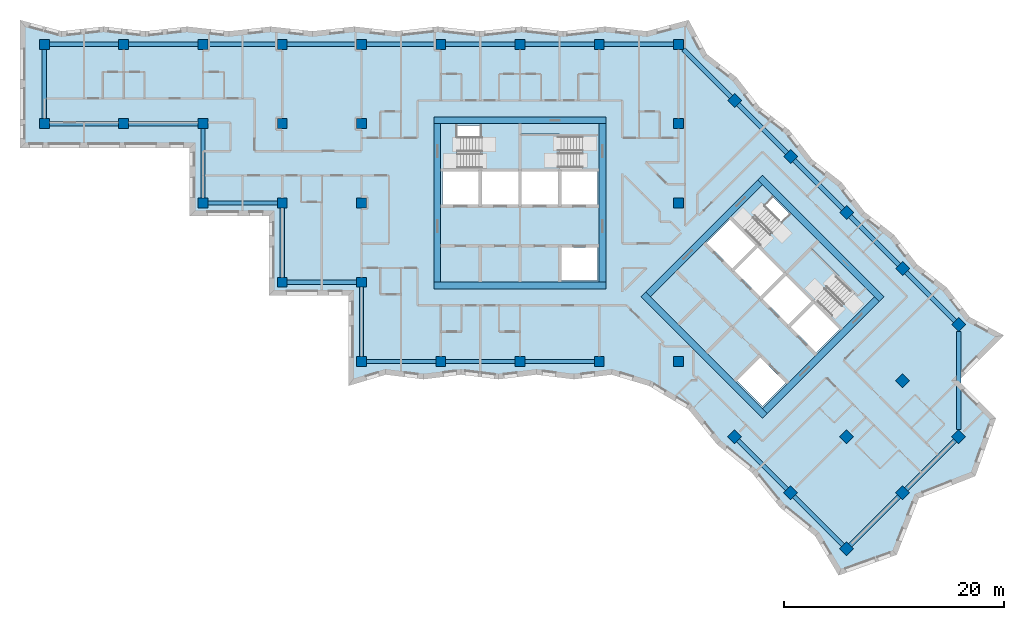
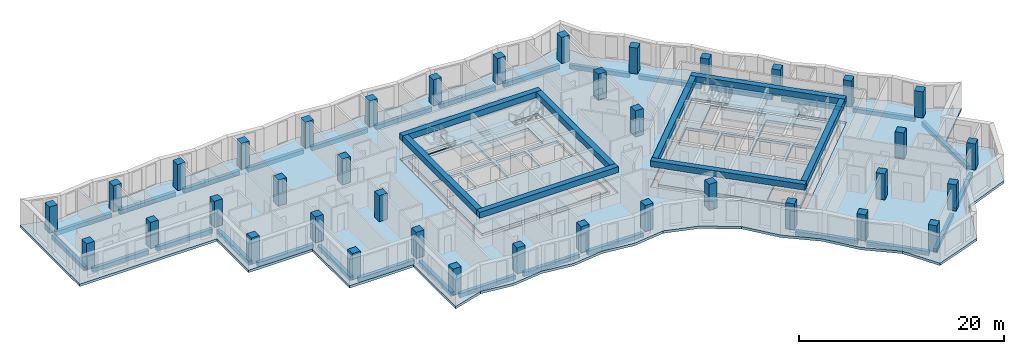
# One storey, part 1 of 12: 38 columns, 37 beams, 7 slabs, 16 openings, 4 elements without a shape of their own.
"""IFC4 building model written with IfcOpenShell, lengths in metres."""

from ifc_helpers import new_model, si_unit, direction, frame, origin, origin_2d, place, context, subcontext, project, spatial, polyline, rectangle, outline, extrude, material, layer, layer_set, material_profile, profile_set, type_object, element, aggregate, save


model = new_model("IFC4")

# Units and contexts
model_context = context("Model", 3, precision=1e-05, world=origin(), true_north=direction((0.0, 1.0)))
body_context = subcontext(model_context, "Body", "Model", "MODEL_VIEW")
ifc_project = project(units=[si_unit("LENGTHUNIT", "METRE"), si_unit("AREAUNIT", "SQUARE_METRE"), si_unit("VOLUMEUNIT", "CUBIC_METRE"), si_unit("PLANEANGLEUNIT", "RADIAN"), si_unit("MASSUNIT", "GRAM", prefix="KILO")], contexts=[model_context])

# Site, building, storey
site_placement = place(None, origin())
site = spatial("IfcSite", under=ifc_project, at=site_placement, CompositionType="ELEMENT")
building_placement = place(site_placement, origin())
building = spatial("IfcBuilding", under=site, at=building_placement, Name="Windrow Commons", CompositionType="ELEMENT")
storey_placement = place(building_placement, frame((0.0, 0.0, 149.0)))
storey = spatial("IfcBuildingStorey", under=building, at=storey_placement, Name="L40", CompositionType="ELEMENT", Elevation=149.0)

# Columns
ifc_material_1 = material(Name="Concrete C50/60", Category="concrete")
ifc_material_profile_1 = material_profile(ifc_material_1, rectangle(XDim=0.9, YDim=0.9, at=origin_2d()))
ifc_profile_set_1 = profile_set([ifc_material_profile_1], Name="Concrete C50/60")
column_type = type_object("IfcColumnType", Name="RC COLUMN 900x900 C50/60", PredefinedType="COLUMN", material=ifc_profile_set_1)
for number, where, z_axis, x_axis, name in (
    (1, (21.6, 64.8, 0.0), (0.0, 0.0, 1.0), (1.0, 0.0, 0.0), "C-Z3-04I"),
    (2, (21.6, 72.0, 0.0), (0.0, 0.0, 1.0), (1.0, 0.0, 0.0), "C-Z3-04J"),
    (3, (28.8, 64.8, 0.0), (0.0, 0.0, 1.0), (1.0, 0.0, 0.0), "C-Z3-05I"),
    (4, (28.8, 72.0, 0.0), (0.0, 0.0, 1.0), (1.0, 0.0, 0.0), "C-Z3-05J"),
    (5, (36.0, 57.6, 0.0), (0.0, 0.0, 1.0), (1.0, 0.0, 0.0), "C-Z3-06H"),
    (6, (36.0, 64.8, 0.0), (0.0, 0.0, 1.0), (1.0, 0.0, 0.0), "C-Z3-06I"),
    (7, (36.0, 72.0, 0.0), (0.0, 0.0, 1.0), (1.0, 0.0, 0.0), "C-Z3-06J"),
    (8, (43.2, 50.4, 0.0), (0.0, 0.0, 1.0), (1.0, 0.0, 0.0), "C-Z3-07G"),
    (9, (43.2, 57.6, 0.0), (0.0, 0.0, 1.0), (1.0, 0.0, 0.0), "C-Z3-07H"),
    (10, (43.2, 64.8, 0.0), (0.0, 0.0, 1.0), (1.0, 0.0, 0.0), "C-Z3-07I"),
    (11, (43.2, 72.0, 0.0), (0.0, 0.0, 1.0), (1.0, 0.0, 0.0), "C-Z3-07J"),
    (12, (50.4, 43.2, 0.0), (0.0, 0.0, 1.0), (1.0, 0.0, 0.0), "C-Z3-08F"),
    (13, (50.4, 50.4, 0.0), (0.0, 0.0, 1.0), (1.0, 0.0, 0.0), "C-Z3-08G"),
    (14, (50.4, 57.6, 0.0), (0.0, 0.0, 1.0), (1.0, 0.0, 0.0), "C-Z3-08H"),
    (15, (50.4, 64.8, 0.0), (0.0, 0.0, 1.0), (1.0, 0.0, 0.0), "C-Z3-08I"),
    (16, (50.4, 72.0, 0.0), (0.0, 0.0, 1.0), (1.0, 0.0, 0.0), "C-Z3-08J"),
    (17, (57.6, 43.2, 0.0), (0.0, 0.0, 1.0), (1.0, 0.0, 0.0), "C-Z3-09F"),
    (18, (57.6, 72.0, 0.0), (0.0, 0.0, 1.0), (1.0, 0.0, 0.0), "C-Z3-09J"),
    (19, (64.8, 43.2, 0.0), (0.0, 0.0, 1.0), (1.0, 0.0, 0.0), "C-Z3-10F"),
    (20, (64.8, 72.0, 0.0), (0.0, 0.0, 1.0), (1.0, 0.0, 0.0), "C-Z3-10J"),
    (21, (72.0, 43.2, 0.0), (0.0, 0.0, 1.0), (1.0, 0.0, 0.0), "C-Z3-11F"),
    (22, (72.0, 72.0, 0.0), (0.0, 0.0, 1.0), (1.0, 0.0, 0.0), "C-Z3-11J"),
    (23, (79.2, 43.2, 0.0), (0.0, 0.0, 1.0), (1.0, 0.0, 0.0), "C-Z3-12F"),
    (24, (79.2, 57.6, 0.0), (0.0, 0.0, 1.0), (1.0, 0.0, 0.0), "C-Z3-12H"),
    (25, (79.2, 64.8, 0.0), (0.0, 0.0, 1.0), (1.0, 0.0, 0.0), "C-Z3-12I"),
    (26, (79.2, 72.0, 0.0), (0.0, 0.0, 1.0), (1.0, 0.0, 0.0), "C-Z3-12J"),
    (27, (84.2912, 66.9088, 0.0), (0.0, 0.0, 1.0), (0.7071067812, -0.7071067812, 0.0), "C-Z3-P2Q"),
    (28, (89.3823, 61.8177, 0.0), (0.0, 0.0, 1.0), (0.7071067812, -0.7071067812, 0.0), "C-Z3-P3Q"),
    (29, (94.4735, 56.7265, 0.0), (0.0, 0.0, 1.0), (0.7071067812, -0.7071067812, 0.0), "C-Z3-P4Q"),
    (30, (99.5647, 51.6353, 0.0), (0.0, 0.0, 1.0), (0.7071067812, -0.7071067812, 0.0), "C-Z3-P5Q"),
    (31, (84.2912, 36.3618, 0.0), (0.0, 0.0, 1.0), (0.7071067812, -0.7071067812, 0.0), "C-Z3-P5T"),
    (32, (104.6558, 46.5442, 0.0), (0.0, 0.0, 1.0), (0.7071067812, -0.7071067812, 0.0), "C-Z3-P6Q"),
    (33, (99.5647, 41.453, 0.0), (0.0, 0.0, 1.0), (0.7071067812, -0.7071067812, 0.0), "C-Z3-P6R"),
    (34, (94.4735, 36.3618, 0.0), (0.0, 0.0, 1.0), (0.7071067812, -0.7071067812, 0.0), "C-Z3-P6S"),
    (35, (89.3823, 31.2706, 0.0), (0.0, 0.0, 1.0), (0.7071067812, -0.7071067812, 0.0), "C-Z3-P6T"),
    (36, (104.6558, 36.3618, 0.0), (0.0, 0.0, 1.0), (0.7071067812, -0.7071067812, 0.0), "C-Z3-P7R"),
    (37, (99.5647, 31.2706, 0.0), (0.0, 0.0, 1.0), (0.7071067812, -0.7071067812, 0.0), "C-Z3-P7S"),
    (38, (94.4735, 26.1795, 0.0), (0.0, 0.0, 1.0), (0.7071067812, -0.7071067812, 0.0), "C-Z3-P7T"),
):
    element("IfcColumn", number, at=place(storey_placement, frame(where, z_axis=z_axis, x_axis=x_axis)), inside=storey, type_object=column_type, Name=name, PredefinedType="COLUMN", context=body_context, shape_type="SweptSolid", body=[
        extrude(rectangle(XDim=0.9, YDim=0.9, at=origin_2d()), origin(), (0.0, 0.0, 1.0), 3.1),
    ])

# Beams
ifc_material_2 = material(Name="Concrete C50/60", Category="concrete")
ifc_material_profile_2 = material_profile(ifc_material_2, rectangle(XDim=0.6, YDim=0.7, at=origin_2d()))
ifc_profile_set_2 = profile_set([ifc_material_profile_2], Name="Concrete C50/60")
beam_type_1 = type_object("IfcBeamType", Name="RC COUPLING BEAM 600x700 C50/60", PredefinedType="LINTEL", material=ifc_profile_set_2)
for number, where, z_axis, x_axis, name in (
    (39, (57.0, 50.1, 2.75), (1.0, 0.0, 0.0), (0.0, 1.0, 0.0), "Core A coupling beam outer-S"),
    (40, (57.0, 65.1, 2.75), (1.0, 0.0, 0.0), (0.0, 1.0, 0.0), "Core A coupling beam outer-N"),
):
    element("IfcBeam", number, at=place(storey_placement, frame(where, z_axis=z_axis, x_axis=x_axis)), inside=storey, type_object=beam_type_1, Name=name, PredefinedType="LINTEL", context=body_context, shape_type="SweptSolid", body=[
        extrude(rectangle(XDim=0.6, YDim=0.7, at=origin_2d()), origin(), (0.0, 0.0, 1.0), 15.6),
    ])
for number, where, z_axis, x_axis, name in (
    (41, (57.3, 50.4, 2.75), (0.0, 1.0, 0.0), (-1.0, 0.0, 0.0), "Core A coupling beam outer-W"),
    (42, (72.3, 50.4, 2.75), (0.0, 1.0, 0.0), (-1.0, 0.0, 0.0), "Core A coupling beam outer-E"),
):
    element("IfcBeam", number, at=place(storey_placement, frame(where, z_axis=z_axis, x_axis=x_axis)), inside=storey, type_object=beam_type_1, Name=name, PredefinedType="LINTEL", context=body_context, shape_type="SweptSolid", body=[
        extrude(rectangle(XDim=0.6, YDim=0.7, at=origin_2d()), origin(), (0.0, 0.0, 1.0), 14.4),
    ])
for number, where, z_axis, x_axis, name in (
    (43, (76.018, 49.3019, 2.75), (0.7071067812, -0.7071067812, 0.0), (0.7071067812, 0.7071067812, 0.0), "Core B coupling beam outer-S"),
    (44, (86.6246, 59.9085, 2.75), (0.7071067812, -0.7071067812, 0.0), (0.7071067812, 0.7071067812, 0.0), "Core B coupling beam outer-N"),
):
    element("IfcBeam", number, at=place(storey_placement, frame(where, z_axis=z_axis, x_axis=x_axis)), inside=storey, type_object=beam_type_1, Name=name, PredefinedType="LINTEL", context=body_context, shape_type="SweptSolid", body=[
        extrude(rectangle(XDim=0.6, YDim=0.7, at=origin_2d()), origin(), (0.0, 0.0, 1.0), 15.6),
    ])
for number, where, z_axis, x_axis, name in (
    (45, (76.4423, 49.3019, 2.75), (0.7071067812, 0.7071067812, 0.0), (-0.7071067812, 0.7071067812, 0.0), "Core B coupling beam outer-W"),
    (46, (87.0489, 38.6953, 2.75), (0.7071067812, 0.7071067812, 0.0), (-0.7071067812, 0.7071067812, 0.0), "Core B coupling beam outer-E"),
):
    element("IfcBeam", number, at=place(storey_placement, frame(where, z_axis=z_axis, x_axis=x_axis)), inside=storey, type_object=beam_type_1, Name=name, PredefinedType="LINTEL", context=body_context, shape_type="SweptSolid", body=[
        extrude(rectangle(XDim=0.6, YDim=0.7, at=origin_2d()), origin(), (0.0, 0.0, 1.0), 14.3999),
    ])
ifc_material_3 = material(Name="Concrete C50/60", Category="concrete")
ifc_material_profile_3 = material_profile(ifc_material_3, rectangle(XDim=0.4, YDim=0.5, at=origin_2d()))
ifc_profile_set_3 = profile_set([ifc_material_profile_3], Name="Concrete C50/60")
beam_type_2 = type_object("IfcBeamType", Name="RC EDGE BEAM 400x500 C50/60", PredefinedType="SPANDREL", material=ifc_profile_set_3)
for number, where, z_axis, x_axis, name in (
    (47, (36.0, 58.05, -0.55), (0.0, 1.0, 0.0), (-1.0, 0.0, 0.0), "Edge beam L40 001"),
    (48, (35.55, 64.8, -0.55), (-1.0, 0.0, 0.0), (0.0, -1.0, 0.0), "Edge beam L40 002"),
    (49, (28.35, 64.8, -0.55), (-1.0, 0.0, 0.0), (0.0, -1.0, 0.0), "Edge beam L40 003"),
    (50, (21.6, 65.25, -0.55), (0.0, 1.0, 0.0), (-1.0, 0.0, 0.0), "Edge beam L40 004"),
    (51, (22.05, 72.0, -0.55), (1.0, 0.0, 0.0), (0.0, 1.0, 0.0), "Edge beam L40 005"),
    (52, (29.25, 72.0, -0.55), (1.0, 0.0, 0.0), (0.0, 1.0, 0.0), "Edge beam L40 006"),
    (53, (36.45, 72.0, -0.55), (1.0, 0.0, 0.0), (0.0, 1.0, 0.0), "Edge beam L40 007"),
    (54, (43.65, 72.0, -0.55), (1.0, 0.0, 0.0), (0.0, 1.0, 0.0), "Edge beam L40 008"),
    (55, (50.85, 72.0, -0.55), (1.0, 0.0, 0.0), (0.0, 1.0, 0.0), "Edge beam L40 009"),
    (56, (58.05, 72.0, -0.55), (1.0, 0.0, 0.0), (0.0, 1.0, 0.0), "Edge beam L40 010"),
    (57, (65.25, 72.0, -0.55), (1.0, 0.0, 0.0), (0.0, 1.0, 0.0), "Edge beam L40 011"),
    (58, (72.45, 72.0, -0.55), (1.0, 0.0, 0.0), (0.0, 1.0, 0.0), "Edge beam L40 012"),
):
    element("IfcBeam", number, at=place(storey_placement, frame(where, z_axis=z_axis, x_axis=x_axis)), inside=storey, type_object=beam_type_2, Name=name, PredefinedType="SPANDREL", context=body_context, shape_type="SweptSolid", body=[
        extrude(rectangle(XDim=0.4, YDim=0.5, at=origin_2d()), origin(), (0.0, 0.0, 1.0), 6.3),
    ])
beam_1_placement = place(storey_placement, frame((79.65, 71.55, -0.55), z_axis=(0.7071067812, -0.7071067812, 0.0), x_axis=(0.7071067812, 0.7071067812, 0.0)))
element("IfcBeam", 59, at=beam_1_placement, inside=storey, type_object=beam_type_2, Name="Edge beam L40 013", PredefinedType="SPANDREL", context=body_context, shape_type="SweptSolid", body=[
    extrude(rectangle(XDim=0.4, YDim=0.5, at=origin_2d()), origin(), (0.0, 0.0, 1.0), 6.1136),
])
beam_2_placement = place(storey_placement, frame((84.6094, 66.5906, -0.55), z_axis=(0.7071067812, -0.7071067812, 0.0), x_axis=(0.7071067812, 0.7071067812, 0.0)))
element("IfcBeam", 60, at=beam_2_placement, inside=storey, type_object=beam_type_2, Name="Edge beam L40 014", PredefinedType="SPANDREL", context=body_context, shape_type="SweptSolid", body=[
    extrude(rectangle(XDim=0.4, YDim=0.5, at=origin_2d()), origin(), (0.0, 0.0, 1.0), 6.2999),
])
for number, where, z_axis, x_axis, name in (
    (61, (89.7005, 61.4995, -0.55), (0.7071067812, -0.7071067812, 0.0), (0.7071067812, 0.7071067812, 0.0), "Edge beam L40 015"),
    (62, (94.7917, 56.4083, -0.55), (0.7071067812, -0.7071067812, 0.0), (0.7071067812, 0.7071067812, 0.0), "Edge beam L40 016"),
):
    element("IfcBeam", number, at=place(storey_placement, frame(where, z_axis=z_axis, x_axis=x_axis)), inside=storey, type_object=beam_type_2, Name=name, PredefinedType="SPANDREL", context=body_context, shape_type="SweptSolid", body=[
        extrude(rectangle(XDim=0.4, YDim=0.5, at=origin_2d()), origin(), (0.0, 0.0, 1.0), 6.3),
    ])
beam_3_placement = place(storey_placement, frame((99.8829, 51.3171, -0.55), z_axis=(0.7071067812, -0.7071067812, 0.0), x_axis=(0.7071067812, 0.7071067812, 0.0)))
element("IfcBeam", 63, at=beam_3_placement, inside=storey, type_object=beam_type_2, Name="Edge beam L40 017", PredefinedType="SPANDREL", context=body_context, shape_type="SweptSolid", body=[
    extrude(rectangle(XDim=0.4, YDim=0.5, at=origin_2d()), origin(), (0.0, 0.0, 1.0), 6.2999),
])
beam_4_placement = place(storey_placement, frame((104.6558, 45.9078, -0.55), z_axis=(0.0, -1.0, 0.0), x_axis=(1.0, 0.0, 0.0)))
element("IfcBeam", 64, at=beam_4_placement, inside=storey, type_object=beam_type_2, Name="Edge beam L40 018", PredefinedType="SPANDREL", context=body_context, shape_type="SweptSolid", body=[
    extrude(rectangle(XDim=0.4, YDim=0.5, at=origin_2d()), origin(), (0.0, 0.0, 1.0), 8.9096),
])
for number, where, z_axis, x_axis, name in (
    (65, (104.3376, 36.0436, -0.55), (-0.7070988446, -0.7071147177, 0.0), (0.7071147177, -0.7070988446, 0.0), "Edge beam L40 019"),
    (66, (99.2465, 30.9524, -0.55), (-0.7071147177, -0.7070988446, 0.0), (0.7070988446, -0.7071147177, 0.0), "Edge beam L40 020"),
    (67, (94.1553, 26.4977, -0.55), (-0.7071147177, 0.7070988446, 0.0), (-0.7070988446, -0.7071147177, 0.0), "Edge beam L40 021"),
    (68, (89.0641, 31.5888, -0.55), (-0.7070988446, 0.7071147177, 0.0), (-0.7071147177, -0.7070988446, 0.0), "Edge beam L40 022"),
    (69, (71.55, 43.2, -0.55), (-1.0, 0.0, 0.0), (0.0, -1.0, 0.0), "Edge beam L40 023"),
    (70, (64.35, 43.2, -0.55), (-1.0, 0.0, 0.0), (0.0, -1.0, 0.0), "Edge beam L40 024"),
    (71, (57.15, 43.2, -0.55), (-1.0, 0.0, 0.0), (0.0, -1.0, 0.0), "Edge beam L40 025"),
    (72, (50.4, 43.65, -0.55), (0.0, 1.0, 0.0), (-1.0, 0.0, 0.0), "Edge beam L40 026"),
    (73, (49.95, 50.4, -0.55), (-1.0, 0.0, 0.0), (0.0, -1.0, 0.0), "Edge beam L40 027"),
    (74, (43.2, 50.85, -0.55), (0.0, 1.0, 0.0), (-1.0, 0.0, 0.0), "Edge beam L40 028"),
    (75, (42.75, 57.6, -0.55), (-1.0, 0.0, 0.0), (0.0, -1.0, 0.0), "Edge beam L40 029"),
):
    element("IfcBeam", number, at=place(storey_placement, frame(where, z_axis=z_axis, x_axis=x_axis)), inside=storey, type_object=beam_type_2, Name=name, PredefinedType="SPANDREL", context=body_context, shape_type="SweptSolid", body=[
        extrude(rectangle(XDim=0.4, YDim=0.5, at=origin_2d()), origin(), (0.0, 0.0, 1.0), 6.3),
    ])

# Slab, openings
ifc_material_4 = material(Name="Concrete C50/60", Category="concrete")
ifc_layer_1 = layer(ifc_material_4, 0.3)
ifc_layer_set_1 = layer_set([ifc_layer_1], Name="CORE FLOOR SLAB 300 C50/60")
slab_type_1 = type_object("IfcSlabType", Name="CORE FLOOR SLAB 300 C50/60", PredefinedType="FLOOR", material=ifc_layer_set_1)
placement_1 = place(storey_placement, frame((0.0, 0.0, -0.3)))
slab_1 = element("IfcSlab", 76, at=placement_1, inside=storey, type_object=slab_type_1, Name="S-L40-core-A", PredefinedType="FLOOR", context=body_context, shape_type="SweptSolid", body=[
    extrude(outline(polyline([(57.6, 50.4), (72.0, 50.4), (72.0, 64.8), (57.6, 64.8), (57.6, 50.4)]), holes=[polyline([(68.55, 50.55), (71.85, 50.55), (71.85, 53.55), (68.55, 53.55), (68.55, 50.55)]), polyline([(57.75, 57.45), (61.05, 57.45), (61.05, 60.45), (57.75, 60.45), (57.75, 57.45)]), polyline([(61.35, 57.45), (64.65, 57.45), (64.65, 60.45), (61.35, 60.45), (61.35, 57.45)]), polyline([(64.95, 57.45), (68.25, 57.45), (68.25, 60.45), (64.95, 60.45), (64.95, 57.45)]), polyline([(68.55, 57.45), (71.85, 57.45), (71.85, 60.45), (68.55, 60.45), (68.55, 57.45)]), polyline([(59.1, 60.75), (64.65, 60.75), (64.65, 64.65), (59.1, 64.65), (59.1, 60.75)]), polyline([(64.95, 60.75), (70.5, 60.75), (70.5, 63.705), (64.95, 63.705), (64.95, 60.75)])]), origin(), (0.0, 0.0, 1.0), 0.3),
])
opening_1_placement = place(placement_1, origin())
element("IfcOpeningElement", 77, at=opening_1_placement, cuts=slab_1, Name="Slab opening S-L40-core-A 1", PredefinedType="OPENING", context=body_context, shape_type="SweptSolid", body=[
    extrude(outline(polyline([(68.555, 50.555), (68.555, 53.545), (71.845, 53.545), (71.845, 50.555), (68.555, 50.555)])), origin(), (0.0, 0.0, 1.0), 0.3),
])
opening_2_placement = place(placement_1, origin())
element("IfcOpeningElement", 78, at=opening_2_placement, cuts=slab_1, Name="Slab opening S-L40-core-A 2", PredefinedType="OPENING", context=body_context, shape_type="SweptSolid", body=[
    extrude(outline(polyline([(57.755, 57.455), (57.755, 60.445), (61.045, 60.445), (61.045, 57.455), (57.755, 57.455)])), origin(), (0.0, 0.0, 1.0), 0.3),
])
opening_3_placement = place(placement_1, origin())
element("IfcOpeningElement", 79, at=opening_3_placement, cuts=slab_1, Name="Slab opening S-L40-core-A 3", PredefinedType="OPENING", context=body_context, shape_type="SweptSolid", body=[
    extrude(outline(polyline([(61.355, 57.455), (61.355, 60.445), (64.645, 60.445), (64.645, 57.455), (61.355, 57.455)])), origin(), (0.0, 0.0, 1.0), 0.3),
])
opening_4_placement = place(placement_1, origin())
element("IfcOpeningElement", 80, at=opening_4_placement, cuts=slab_1, Name="Slab opening S-L40-core-A 4", PredefinedType="OPENING", context=body_context, shape_type="SweptSolid", body=[
    extrude(outline(polyline([(64.955, 57.455), (64.955, 60.445), (68.245, 60.445), (68.245, 57.455), (64.955, 57.455)])), origin(), (0.0, 0.0, 1.0), 0.3),
])
opening_5_placement = place(placement_1, origin())
element("IfcOpeningElement", 81, at=opening_5_placement, cuts=slab_1, Name="Slab opening S-L40-core-A 5", PredefinedType="OPENING", context=body_context, shape_type="SweptSolid", body=[
    extrude(outline(polyline([(68.555, 57.455), (68.555, 60.445), (71.845, 60.445), (71.845, 57.455), (68.555, 57.455)])), origin(), (0.0, 0.0, 1.0), 0.3),
])
opening_6_placement = place(placement_1, origin())
element("IfcOpeningElement", 82, at=opening_6_placement, cuts=slab_1, Name="Slab opening S-L40-core-A 6", PredefinedType="OPENING", context=body_context, shape_type="SweptSolid", body=[
    extrude(outline(polyline([(59.105, 60.755), (59.105, 64.645), (64.645, 64.645), (64.645, 60.755), (59.105, 60.755)])), origin(), (0.0, 0.0, 1.0), 0.3),
])
opening_7_placement = place(placement_1, origin())
element("IfcOpeningElement", 83, at=opening_7_placement, cuts=slab_1, Name="Slab opening S-L40-core-A 7", PredefinedType="OPENING", context=body_context, shape_type="SweptSolid", body=[
    extrude(outline(polyline([(64.955, 60.755), (64.955, 63.7), (70.495, 63.7), (70.495, 60.755), (64.955, 60.755)])), origin(), (0.0, 0.0, 1.0), 0.3),
])

slab_2 = element("IfcSlab", 84, at=placement_1, inside=storey, type_object=slab_type_1, Name="S-L40-core-B", PredefinedType="FLOOR", context=body_context, shape_type="SweptSolid", body=[
    extrude(outline(polyline([(76.6544, 49.0897), (86.8368, 38.9074), (97.0191, 49.0897), (86.8368, 59.2721), (76.6544, 49.0897)]), holes=[polyline([(84.5033, 41.453), (86.8368, 39.1195), (88.9581, 41.2409), (86.6246, 43.5743), (84.5033, 41.453)]), polyline([(81.7456, 53.9688), (84.079, 51.6353), (86.2004, 53.7566), (83.8669, 56.0901), (81.7456, 53.9688)]), polyline([(84.2912, 51.4232), (86.6246, 49.0897), (88.7459, 51.2111), (86.4125, 53.5445), (84.2912, 51.4232)]), polyline([(86.8368, 48.8776), (89.1702, 46.5442), (91.2915, 48.6655), (88.9581, 50.9989), (86.8368, 48.8776)]), polyline([(89.3823, 46.332), (91.7158, 43.9986), (93.8371, 46.1199), (91.5037, 48.4533), (89.3823, 46.332)]), polyline([(85.0336, 55.3476), (88.9581, 51.4232), (91.7158, 54.1809), (87.7913, 58.1054), (85.0336, 55.3476)]), polyline([(89.1702, 51.2111), (93.0946, 47.2866), (95.1841, 49.3761), (91.2597, 53.3006), (89.1702, 51.2111)])]), origin(), (0.0, 0.0, 1.0), 0.3),
])
opening_8_placement = place(placement_1, origin())
element("IfcOpeningElement", 85, at=opening_8_placement, cuts=slab_2, Name="Slab opening S-L40-core-B 1", PredefinedType="OPENING", context=body_context, shape_type="SweptSolid", body=[
    extrude(outline(polyline([(84.5104, 41.453), (86.6246, 43.5672), (88.951, 41.2409), (86.8368, 39.1266), (84.5104, 41.453)])), origin(), (0.0, 0.0, 1.0), 0.3),
])
opening_9_placement = place(placement_1, origin())
element("IfcOpeningElement", 86, at=opening_9_placement, cuts=slab_2, Name="Slab opening S-L40-core-B 2", PredefinedType="OPENING", context=body_context, shape_type="SweptSolid", body=[
    extrude(outline(polyline([(81.7527, 53.9688), (83.8669, 56.083), (86.1933, 53.7566), (84.079, 51.6424), (81.7527, 53.9688)])), origin(), (0.0, 0.0, 1.0), 0.3),
])
opening_10_placement = place(placement_1, origin())
element("IfcOpeningElement", 87, at=opening_10_placement, cuts=slab_2, Name="Slab opening S-L40-core-B 3", PredefinedType="OPENING", context=body_context, shape_type="SweptSolid", body=[
    extrude(outline(polyline([(84.2983, 51.4232), (86.4125, 53.5374), (88.7388, 51.2111), (86.6246, 49.0968), (84.2983, 51.4232)])), origin(), (0.0, 0.0, 1.0), 0.3),
])
opening_11_placement = place(placement_1, origin())
element("IfcOpeningElement", 88, at=opening_11_placement, cuts=slab_2, Name="Slab opening S-L40-core-B 4", PredefinedType="OPENING", context=body_context, shape_type="SweptSolid", body=[
    extrude(outline(polyline([(86.8439, 48.8776), (88.9581, 50.9918), (91.2844, 48.6655), (89.1702, 46.5513), (86.8439, 48.8776)])), origin(), (0.0, 0.0, 1.0), 0.3),
])
opening_12_placement = place(placement_1, origin())
element("IfcOpeningElement", 89, at=opening_12_placement, cuts=slab_2, Name="Slab opening S-L40-core-B 5", PredefinedType="OPENING", context=body_context, shape_type="SweptSolid", body=[
    extrude(outline(polyline([(89.3894, 46.332), (91.5037, 48.4462), (93.83, 46.1199), (91.7158, 44.0057), (89.3894, 46.332)])), origin(), (0.0, 0.0, 1.0), 0.3),
])
opening_13_placement = place(placement_1, origin())
element("IfcOpeningElement", 90, at=opening_13_placement, cuts=slab_2, Name="Slab opening S-L40-core-B 6", PredefinedType="OPENING", context=body_context, shape_type="SweptSolid", body=[
    extrude(outline(polyline([(85.0407, 55.3476), (87.7913, 58.0983), (91.7087, 54.1809), (88.9581, 51.4303), (85.0407, 55.3476)])), origin(), (0.0, 0.0, 1.0), 0.3),
])
opening_14_placement = place(placement_1, origin())
element("IfcOpeningElement", 91, at=opening_14_placement, cuts=slab_2, Name="Slab opening S-L40-core-B 7", PredefinedType="OPENING", context=body_context, shape_type="SweptSolid", body=[
    extrude(outline(polyline([(89.1773, 51.2111), (91.2597, 53.2935), (95.177, 49.3761), (93.0946, 47.2937), (89.1773, 51.2111)])), origin(), (0.0, 0.0, 1.0), 0.3),
])

# Stair, slab
ifc_material_5 = material(Name="Concrete C40/50", Category="concrete")
stair_type = type_object("IfcStairType", Name="Core stair", PredefinedType="HALF_TURN_STAIR", material=ifc_material_5)
placement_2 = place(storey_placement, origin())
stair_1 = element("IfcStair", 92, at=placement_2, inside=storey, type_object=stair_type, Name="L40 Exit stair A1 core A", PredefinedType="HALF_TURN_STAIR")
ifc_material_6 = material(Name="Concrete C40/50", Category="concrete")
ifc_layer_2 = layer(ifc_material_6, 0.2)
ifc_layer_set_2 = layer_set([ifc_layer_2], Name="Core stair landing")
slab_type_2 = type_object("IfcSlabType", Name="Core stair landing", PredefinedType="LANDING", material=ifc_layer_set_2)
placement_3 = place(storey_placement, frame((0.0, 0.0, 1.5)))
slab_3 = element("IfcSlab", 93, at=placement_3, type_object=slab_type_2, Name="ST-A1 landing 1", PredefinedType="LANDING", context=body_context, shape_type="SweptSolid", body=[
    extrude(outline(polyline([(61.22, 60.5), (64.8, 60.5), (64.8, 64.9), (61.22, 64.9), (61.22, 60.5)])), origin(), (0.0, 0.0, 1.0), 0.2),
])
aggregate(stair_1, [slab_3])

stair_2 = element("IfcStair", 94, at=placement_2, inside=storey, type_object=stair_type, Name="L40 Exit stair A2 core A", PredefinedType="HALF_TURN_STAIR")
slab_4 = element("IfcSlab", 95, at=placement_3, type_object=slab_type_2, Name="ST-A2 landing 1", PredefinedType="LANDING", context=body_context, shape_type="SweptSolid", body=[
    extrude(outline(polyline([(64.8, 60.5), (68.38, 60.5), (68.38, 63.855), (64.8, 63.855), (64.8, 60.5)])), origin(), (0.0, 0.0, 1.0), 0.2),
])
aggregate(stair_2, [slab_4])

stair_3 = element("IfcStair", 96, at=placement_2, inside=storey, type_object=stair_type, Name="L40 Exit stair B1 core B", PredefinedType="HALF_TURN_STAIR")
slab_5 = element("IfcSlab", 97, at=placement_3, type_object=slab_type_2, Name="ST-B1 landing 1", PredefinedType="LANDING", context=body_context, shape_type="SweptSolid", body=[
    extrude(outline(polyline([(86.3559, 53.6718), (88.8874, 51.1403), (91.9986, 54.2516), (89.4672, 56.7831), (86.3559, 53.6718)])), origin(), (0.0, 0.0, 1.0), 0.2),
])
aggregate(stair_3, [slab_5])

stair_4 = element("IfcStair", 98, at=placement_2, inside=storey, type_object=stair_type, Name="L40 Exit stair B2 core B", PredefinedType="HALF_TURN_STAIR")
slab_6 = element("IfcSlab", 99, at=placement_3, type_object=slab_type_2, Name="ST-B2 landing 1", PredefinedType="LANDING", context=body_context, shape_type="SweptSolid", body=[
    extrude(outline(polyline([(88.8874, 51.1403), (91.4188, 48.6089), (93.7911, 50.9812), (91.2597, 53.5127), (88.8874, 51.1403)])), origin(), (0.0, 0.0, 1.0), 0.2),
])
aggregate(stair_4, [slab_6])

# Slab, openings
ifc_material_7 = material(Name="Concrete C50/60", Category="concrete")
ifc_layer_3 = layer(ifc_material_7, 0.3)
ifc_layer_set_3 = layer_set([ifc_layer_3], Name="FLOOR SLAB 300 C50/60")
slab_type_3 = type_object("IfcSlabType", Name="FLOOR SLAB 300 C50/60", PredefinedType="FLOOR", material=ifc_layer_set_3)
slab_7 = element("IfcSlab", 100, at=placement_1, inside=storey, type_object=slab_type_3, Name="S-L40-floor", PredefinedType="FLOOR", context=body_context, shape_type="SweptSolid", body=[
    extrude(outline(polyline([(91.6037, 27.3522), (93.7515, 23.7604), (99.0232, 25.638), (101.0422, 30.7683), (106.1724, 32.7872), (108.05, 38.0589), (104.6558, 41.453), (108.772, 45.569), (105.6623, 47.2348), (103.5724, 49.9201), (100.887, 52.0101), (98.7971, 54.6954), (96.1117, 56.7854), (94.0217, 59.4708), (91.3364, 61.5607), (89.2464, 64.2461), (86.561, 66.3361), (84.4711, 69.0214), (81.7857, 71.1114), (80.12, 74.221), (76.3237, 73.2), (72.5274, 73.621), (68.7311, 73.2), (64.9348, 73.621), (61.1384, 73.2), (57.3421, 73.621), (53.5458, 73.2), (49.7495, 73.621), (45.9532, 73.2), (42.1569, 73.621), (38.3606, 73.2), (34.5643, 73.621), (30.7679, 73.2), (26.9716, 73.621), (23.1753, 73.2), (19.379, 74.221), (19.379, 62.579), (34.8, 62.579), (34.8, 56.4), (42.0, 56.4), (42.0, 49.2), (49.2, 49.2), (49.2, 40.979), (52.6166, 42.0), (56.0332, 41.579), (59.4499, 42.0), (62.8665, 41.579), (66.2831, 42.0), (69.6997, 41.579), (73.1164, 42.0), (76.533, 40.979), (80.1247, 38.8312), (82.6968, 35.6637), (85.8642, 33.0917), (88.4363, 29.9242), (91.6037, 27.3522)]), holes=[polyline([(75.8059, 49.0897), (86.8368, 60.1206), (97.8676, 49.0897), (86.8368, 38.0589), (75.8059, 49.0897)]), polyline([(57.0, 49.8), (57.0, 65.4), (72.6, 65.4), (72.6, 49.8), (57.0, 49.8)])]), origin(), (0.0, 0.0, 1.0), 0.3),
])
opening_15_placement = place(placement_1, origin())
element("IfcOpeningElement", 101, at=opening_15_placement, cuts=slab_7, Name="Slab opening S-L40-floor 1", PredefinedType="OPENING", context=body_context, shape_type="SweptSolid", body=[
    extrude(outline(polyline([(75.813, 49.0897), (86.8368, 60.1135), (97.8605, 49.0897), (86.8368, 38.066), (75.813, 49.0897)])), origin(), (0.0, 0.0, 1.0), 0.3),
])
opening_16_placement = place(placement_1, origin())
element("IfcOpeningElement", 102, at=opening_16_placement, cuts=slab_7, Name="Slab opening S-L40-floor 2", PredefinedType="OPENING", context=body_context, shape_type="SweptSolid", body=[
    extrude(outline(polyline([(57.005, 49.805), (57.005, 65.395), (72.595, 65.395), (72.595, 49.805), (57.005, 49.805)])), origin(), (0.0, 0.0, 1.0), 0.3),
])

save(model, "model.ifc")
